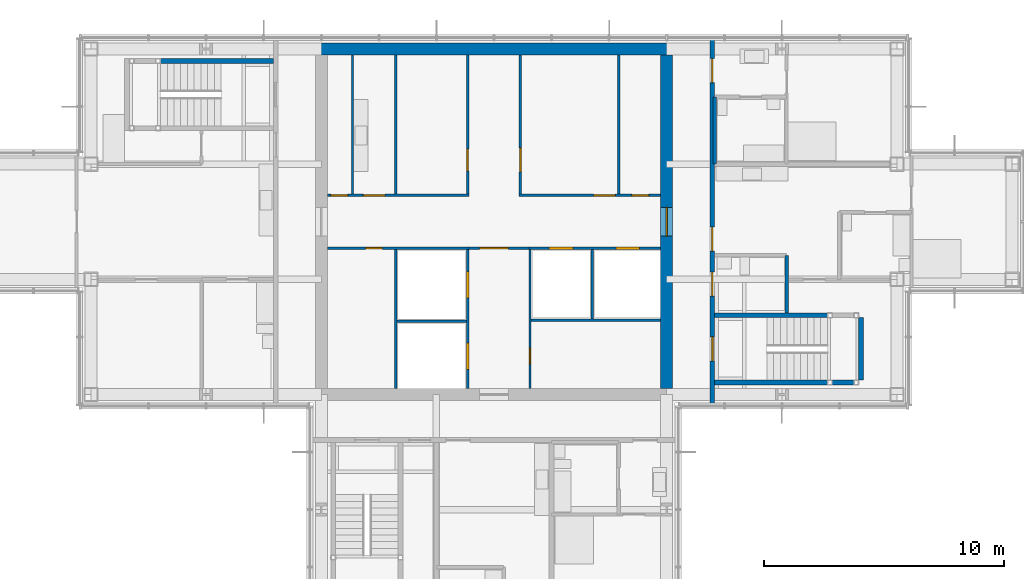
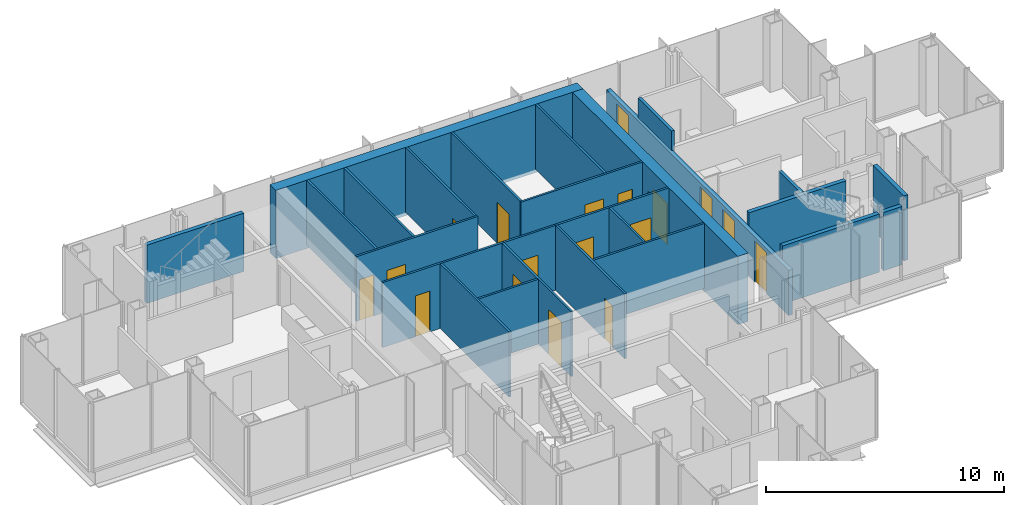
# One storey, part 11 of 15: 26 walls, 18 doors, 18 openings.
"""IFC4 building model written with IfcOpenShell, lengths in metres."""

import ifcopenshell
import ifcopenshell.guid

model = None  # the IFC model being written
_history = None  # IfcOwnerHistory: only IFC2X3 demands one
_inside = {}  # id of a spatial element -> (the spatial element, [elements in it])
_under = {}  # id of a project, library or spatial element -> (it, [spatial elements below it])
_declared = {}  # id of a project -> (the project, [libraries it declares])
_typed = {}  # id of a type object -> (the type object, [elements of that type])
_made_of = {}  # id of a material, layer set ... -> (it, [elements and type objects made of it])


def new_model(schema):
    """Start an empty IFC model of exactly this schema.

    Asked for "IFC4X3", IfcOpenShell would pick the latest addendum, in which some entities
    have other attributes; the version numbers below select the first issue.
    IFC2X3 requires an IfcOwnerHistory on every rooted entity: one is made here for all.
    """
    global model, _history
    if schema == "IFC4X3":
        model = ifcopenshell.file(schema_version=(4, 3, 0, 0))
    else:
        model = ifcopenshell.file(schema=schema)
    _inside.clear()
    _under.clear()
    _declared.clear()
    _typed.clear()
    _made_of.clear()
    _history = None
    if model.schema == "IFC2X3":
        org = make("IfcOrganization", Name="unknown")
        user = make(
            "IfcPersonAndOrganization",
            ThePerson=make("IfcPerson", FamilyName="unknown"),
            TheOrganization=org,
        )
        app = make(
            "IfcApplication",
            ApplicationDeveloper=org,
            Version="unknown",
            ApplicationFullName="unknown",
            ApplicationIdentifier="unknown",
        )
        _history = make(
            "IfcOwnerHistory",
            OwningUser=user,
            OwningApplication=app,
            ChangeAction="ADDED",
            CreationDate=0,
        )
    return model


def make(cls, **values):
    """One entity of the class cls with the attributes given. An attribute that is None is left unset."""
    return model.create_entity(
        cls, **{name: value for name, value in values.items() if value is not None}
    )


def rooted(cls, **values):
    """An entity with a GlobalId (a new one), such as an element, a storey or a relation."""
    return make(cls, GlobalId=ifcopenshell.guid.new(), OwnerHistory=_history, **values)


def si_unit(unit_type, name, prefix=None):
    """IfcSIUnit, for example si_unit("LENGTHUNIT", "METRE", prefix="MILLI")."""
    return make("IfcSIUnit", UnitType=unit_type, Prefix=prefix, Name=name)


def assignment(units):
    """IfcUnitAssignment: the units of a project."""
    return None if units is None else make("IfcUnitAssignment", Units=units)


def point(xyz):
    """IfcCartesianPoint."""
    return None if xyz is None else make("IfcCartesianPoint", Coordinates=xyz)


def direction(xyz):
    """IfcDirection."""
    return None if xyz is None else make("IfcDirection", DirectionRatios=xyz)


def frame(location, z_axis=None, x_axis=None):
    """IfcAxis2Placement3D, a coordinate frame: its origin and axes. An axis left out is left unset."""
    return make(
        "IfcAxis2Placement3D",
        Location=point(location),
        Axis=direction(z_axis),
        RefDirection=direction(x_axis),
    )


def frame_2d(location, x_axis=None):
    """IfcAxis2Placement2D, a coordinate frame in the plane: its origin and x axis."""
    return make(
        "IfcAxis2Placement2D", Location=point(location), RefDirection=direction(x_axis)
    )


def origin():
    """The frame at (0, 0, 0) with its axes left unset."""
    return frame((0.0, 0.0, 0.0))


def place(relative_to, where):
    """IfcLocalPlacement: puts the frame where relative to a parent placement (None: the world)."""
    return make(
        "IfcLocalPlacement", PlacementRelTo=relative_to, RelativePlacement=where
    )


def context(
    kind, dimensions, precision=None, world=None, true_north=None, identifier=None
):
    """IfcGeometricRepresentationContext, for example the 3D "Model" context."""
    return make(
        "IfcGeometricRepresentationContext",
        ContextIdentifier=identifier,
        ContextType=kind,
        CoordinateSpaceDimension=dimensions,
        Precision=precision,
        WorldCoordinateSystem=world,
        TrueNorth=true_north,
    )


def subcontext(parent, identifier, kind, view, scale=None):
    """IfcGeometricRepresentationSubContext, for example "Body" below "Model"."""
    return make(
        "IfcGeometricRepresentationSubContext",
        ContextIdentifier=identifier,
        ContextType=kind,
        ParentContext=parent,
        TargetScale=scale,
        TargetView=view,
    )


def project(units=None, contexts=None):
    """IfcProject with its units and contexts."""
    return rooted(
        "IfcProject",
        Name="project",
        RepresentationContexts=contexts,
        UnitsInContext=assignment(units),
    )


def spatial(cls, under=None, at=None, **own):
    """A site, building, storey or space (cls), placed at a placement, below another one or the project."""
    s = rooted(cls, ObjectPlacement=at, **own)
    if under is not None:
        _under.setdefault(under.id(), (under, []))[1].append(s)
    return s


def profile(cls, at=None, kind="AREA", **sizes):
    """A parametric profile (cls). Its sizes go by their IFC names, for example OverallWidth=200.0."""
    return make(cls, ProfileType=kind, Position=at, **sizes)


def rectangle(**sizes):
    """IfcRectangleProfileDef."""
    return profile("IfcRectangleProfileDef", **sizes)


def extrude(swept, where, along, depth):
    """IfcExtrudedAreaSolid: the profile swept, set in the frame where, extruded along a direction by depth."""
    return make(
        "IfcExtrudedAreaSolid",
        SweptArea=swept,
        Position=where,
        ExtrudedDirection=direction(along),
        Depth=depth,
    )


def shape(context_of_items, identifier, shape_type, items):
    """IfcShapeRepresentation: the items that make up one representation, for example the "Body"."""
    return make(
        "IfcShapeRepresentation",
        ContextOfItems=context_of_items,
        RepresentationIdentifier=identifier,
        RepresentationType=shape_type,
        Items=items,
    )


def material(Name=None, Category=None):
    """IfcMaterial."""
    return make("IfcMaterial", Name=Name, Category=Category)


def layer(
    of_material, thickness, ventilated=None, Name=None, Category=None, Priority=None
):
    """IfcMaterialLayer: one layer of a wall or slab, of a material (None: an air gap)."""
    return make(
        "IfcMaterialLayer",
        Material=of_material,
        LayerThickness=thickness,
        IsVentilated=ventilated,
        Name=Name,
        Category=Category,
        Priority=Priority,
    )


def layer_set(layers, Name=None):
    """IfcMaterialLayerSet."""
    return make("IfcMaterialLayerSet", MaterialLayers=layers, LayerSetName=Name)


def made_of(thing, what):
    """Note that an element or type object is made of a material, layer set ...; save() writes the relation."""
    if what is not None:
        _made_of.setdefault(what.id(), (what, []))[1].append(thing)
    return thing


def type_object(cls, material=None, **own):
    """A type object (cls), such as IfcWallType, which elements share."""
    return made_of(rooted(cls, **own), material)


def element(
    cls,
    number,
    at=None,
    inside=None,
    cuts=None,
    type_object=None,
    material=None,
    context=None,
    identifier="Body",
    shape_type=None,
    held_by="IfcProductDefinitionShape",
    body=None,
    shapes=None,
    **own,
):
    """One element of the class cls, such as IfcWall. Its Tag is "e" and its number.

    at: its placement. inside: the storey or other place that contains it. cuts: it is an
    opening in that element (IfcRelVoidsElement). A single representation is given by context,
    identifier, shape_type and body (its items); several are given by shapes. held_by: the class
    of the entity that holds the representations. save() writes the other relations.
    """
    e = rooted(cls, Tag="e%d" % number, ObjectPlacement=at, **own)
    if body is not None:
        shapes = [shape(context, identifier, shape_type, body)]
    if shapes is not None:
        e.Representation = make(held_by, Representations=shapes)
    if inside is not None:
        _inside.setdefault(inside.id(), (inside, []))[1].append(e)
    if cuts is not None:
        rooted(
            "IfcRelVoidsElement", RelatingBuildingElement=cuts, RelatedOpeningElement=e
        )
    if type_object is not None:
        _typed.setdefault(type_object.id(), (type_object, []))[1].append(e)
    return made_of(e, material)


def fill(opening, filler):
    """IfcRelFillsElement: the door or window that sits in an opening."""
    return rooted(
        "IfcRelFillsElement",
        RelatingOpeningElement=opening,
        RelatedBuildingElement=filler,
    )


def aggregate(whole, parts):
    """IfcRelAggregates: a whole, such as a stair, and the parts it consists of."""
    return rooted("IfcRelAggregates", RelatingObject=whole, RelatedObjects=parts)


def save(model, path):
    """Write the relations noted so far, then the file.

    IfcRelAggregates (storeys below a building ...), IfcRelContainedInSpatialStructure (elements
    in a storey), IfcRelDefinesByType, IfcRelAssociatesMaterial and IfcRelDeclares: one each for
    every whole, place, type object, material and project.
    """
    for whole, parts in _under.values():
        aggregate(whole, parts)
    for where, things in _inside.values():
        rooted(
            "IfcRelContainedInSpatialStructure",
            RelatedElements=things,
            RelatingStructure=where,
        )
    for kind, things in _typed.values():
        rooted("IfcRelDefinesByType", RelatedObjects=things, RelatingType=kind)
    for what, things in _made_of.values():
        rooted("IfcRelAssociatesMaterial", RelatedObjects=things, RelatingMaterial=what)
    for by, libraries in _declared.values():
        rooted("IfcRelDeclares", RelatingContext=by, RelatedDefinitions=libraries)
    model.write(path)


model = new_model("IFC4")

# Units and contexts
model_context = context("Model", 3, precision=1e-05, world=origin(), true_north=direction((0.0, 1.0)))
body_context = subcontext(model_context, "Body", "Model", "MODEL_VIEW")
ifc_project = project(units=[si_unit("LENGTHUNIT", "METRE"), si_unit("AREAUNIT", "SQUARE_METRE"), si_unit("VOLUMEUNIT", "CUBIC_METRE"), si_unit("PLANEANGLEUNIT", "RADIAN"), si_unit("MASSUNIT", "GRAM", prefix="KILO")], contexts=[model_context])

# Site, building, storey
site_placement = place(None, origin())
site = spatial("IfcSite", under=ifc_project, at=site_placement, CompositionType="ELEMENT")
building_placement = place(site_placement, origin())
building = spatial("IfcBuilding", under=site, at=building_placement, Name="Kvirike Care Tower", CompositionType="ELEMENT")
storey_placement = place(building_placement, frame((0.0, 0.0, 222.5)))
storey = spatial("IfcBuildingStorey", under=building, at=storey_placement, Name="L61", CompositionType="ELEMENT", Elevation=222.5)

# Walls
ifc_material_1 = material(Name="Moisture-resistant board partition", Category="gypsum")
ifc_layer_1 = layer(ifc_material_1, 0.14990234375)
ifc_layer_set_1 = layer_set([ifc_layer_1], Name="BATHROOM WALL 150")
wall_type_1 = type_object("IfcWallType", Name="BATHROOM WALL 150", PredefinedType="PARTITIONING", material=ifc_layer_set_1)
wall_1_placement = place(storey_placement, frame((33.800048828125, 32.199951171875, 0.0), z_axis=(0.0, 0.0, 1.0), x_axis=(0.0, 1.0, 0.0)))
element("IfcWall", 1, at=wall_1_placement, inside=storey, type_object=wall_type_1, Name="Bathroom Wall 150 L61", PredefinedType="PARTITIONING", context=body_context, shape_type="SweptSolid", body=[
    extrude(rectangle(XDim=2.400146484375, YDim=0.14990234375, at=frame_2d((1.2001953125, 0.0))), origin(), (0.0, 0.0, 1.0), 2.550048828125),
])
wall_2_placement = place(storey_placement, frame((30.800048828125, 38.39990234375, 0.0), z_axis=(0.0, 0.0, 1.0), x_axis=(0.0, 1.0, 0.0)))
element("IfcWall", 2, at=wall_2_placement, inside=storey, type_object=wall_type_1, Name="Bathroom Wall 150 L61", PredefinedType="PARTITIONING", context=body_context, shape_type="SweptSolid", body=[
    extrude(rectangle(XDim=2.800048828125, YDim=0.14990234375, at=frame_2d((1.39990234375, 0.0))), origin(), (0.0, 0.0, 1.0), 3.330078125),
])
ifc_material_2 = material(Name="Concrete C40/50", Category="concrete")
ifc_layer_2 = layer(ifc_material_2, 0.5)
ifc_layer_set_2 = layer_set([ifc_layer_2], Name="CORE WALL 500 C40-50")
wall_type_2 = type_object("IfcWallType", Name="CORE WALL 500 C40-50", PredefinedType="SHEAR", material=ifc_layer_set_2)
wall_3_placement = place(storey_placement, frame((29.050048828125, 43.199951171875, -0.169921875), z_axis=(0.0, 0.0, 1.0), x_axis=(-1.0, 0.0, 0.0)))
element("IfcWall", 3, at=wall_3_placement, inside=storey, type_object=wall_type_2, Name="Core wall N L61", PredefinedType="SHEAR", context=body_context, shape_type="SweptSolid", body=[
    extrude(rectangle(XDim=14.900146484375, YDim=0.5, at=frame_2d((7.4501953125, 0.0))), origin(), (0.0, 0.0, 1.0), 3.5),
])

# Wall, opening, door
wall_4_placement = place(storey_placement, frame((28.800048828125, 29.050048828125, -0.169921875), z_axis=(0.0, 0.0, 1.0), x_axis=(0.0, 1.0, 0.0)))
wall_4 = element("IfcWall", 4, at=wall_4_placement, inside=storey, type_object=wall_type_2, Name="Core wall E L61", PredefinedType="SHEAR", context=body_context, shape_type="SweptSolid", body=[
    extrude(rectangle(XDim=13.89990234375, YDim=0.5, at=frame_2d((6.949951171875, 0.0))), origin(), (0.0, 0.0, 1.0), 3.5),
])
opening_1_placement = place(wall_4_placement, frame((6.35009765625, 0.0, 0.169921875)))
opening_1 = element("IfcOpeningElement", 5, at=opening_1_placement, cuts=wall_4, Name="Opening 61-039", PredefinedType="OPENING", context=body_context, shape_type="SweptSolid", body=[
    extrude(rectangle(XDim=1.199951171875, YDim=2.10009765625, at=frame_2d((0.60009765625, 1.050048828125))), frame((0.0, 0.260498046875, 0.0), z_axis=(0.0, -1.0, 0.0), x_axis=(1.0, 0.0, 0.0)), (0.0, 0.0, 1.0), 0.52099609375),
])
ifc_material_3 = material(Name="Timber door set", Category="wood")
door_type_1 = type_object("IfcDoorType", Name="CORE DOOR 1200", OperationType="SINGLE_SWING_LEFT", PredefinedType="DOOR", material=ifc_material_3)
door_1_placement = place(opening_1_placement, origin())
door_1 = element("IfcDoor", 6, at=door_1_placement, inside=storey, type_object=door_type_1, Name="Core door E L61", OperationType="SINGLE_SWING_LEFT", OverallHeight=2.10009765625, OverallWidth=1.199951171875, PredefinedType="DOOR", context=body_context, shape_type="SweptSolid", body=[
    extrude(rectangle(XDim=1.199951171875, YDim=2.10009765625, at=frame_2d((0.60009765625, 1.050048828125))), frame((0.0, 0.02685546875, 0.0), z_axis=(0.0, -1.0, 0.0), x_axis=(1.0, 0.0, 0.0)), (0.0, 0.0, 1.0), 0.053955078125),
])
fill(opening_1, door_1)

# Wall, openings, doors
ifc_material_4 = material(Name="Plasterboard corridor wall", Category="gypsum")
ifc_layer_3 = layer(ifc_material_4, 0.199951171875)
ifc_layer_set_3 = layer_set([ifc_layer_3], Name="CORRIDOR WALL 200")
wall_type_3 = type_object("IfcWallType", Name="CORRIDOR WALL 200", PredefinedType="PARTITIONING", material=ifc_layer_set_3)
wall_5_placement = place(storey_placement, frame((30.699951171875, 28.344970703125, 0.0), z_axis=(0.0, 0.0, 1.0), x_axis=(0.0, 1.0, 0.0)))
wall_5 = element("IfcWall", 7, at=wall_5_placement, inside=storey, type_object=wall_type_3, Name="Corridor Wall 200 L61", PredefinedType="PARTITIONING", context=body_context, shape_type="SweptSolid", body=[
    extrude(rectangle(XDim=15.31005859375, YDim=0.199951171875, at=frame_2d((7.655029296875, 0.0))), origin(), (0.0, 0.0, 1.0), 2.320068359375),
])
opening_2_placement = place(wall_5_placement, frame((1.85498046875, 0.0, 0.0)))
opening_2 = element("IfcOpeningElement", 8, at=opening_2_placement, cuts=wall_5, Name="Opening 61-020", PredefinedType="OPENING", context=body_context, shape_type="SweptSolid", body=[
    extrude(rectangle(XDim=1.0, YDim=2.10009765625, at=frame_2d((0.5, 1.050048828125))), frame((0.0, 0.110595703125, 0.0), z_axis=(0.0, -1.0, 0.0), x_axis=(1.0, 0.0, 0.0)), (0.0, 0.0, 1.0), 0.220947265625),
])
opening_3_placement = place(wall_5_placement, frame((4.554931640625, 0.0, 0.0)))
opening_3 = element("IfcOpeningElement", 9, at=opening_3_placement, cuts=wall_5, Name="Opening 61-021", PredefinedType="OPENING", context=body_context, shape_type="SweptSolid", body=[
    extrude(rectangle(XDim=1.0, YDim=2.10009765625, at=frame_2d((0.5, 1.050048828125))), frame((0.0, 0.110595703125, 0.0), z_axis=(0.0, -1.0, 0.0), x_axis=(1.0, 0.0, 0.0)), (0.0, 0.0, 1.0), 0.220947265625),
])
opening_4_placement = place(wall_5_placement, frame((6.429931640625, 0.0, 0.0)))
opening_4 = element("IfcOpeningElement", 10, at=opening_4_placement, cuts=wall_5, Name="Opening 61-022", PredefinedType="OPENING", context=body_context, shape_type="SweptSolid", body=[
    extrude(rectangle(XDim=1.0, YDim=2.10009765625, at=frame_2d((0.5, 1.050048828125))), frame((0.0, 0.110595703125, 0.0), z_axis=(0.0, -1.0, 0.0), x_axis=(1.0, 0.0, 0.0)), (0.0, 0.0, 1.0), 0.220947265625),
])
opening_5_placement = place(wall_5_placement, frame((13.455078125, 0.0, 0.0)))
opening_5 = element("IfcOpeningElement", 11, at=opening_5_placement, cuts=wall_5, Name="Opening 61-023", PredefinedType="OPENING", context=body_context, shape_type="SweptSolid", body=[
    extrude(rectangle(XDim=1.0, YDim=2.10009765625, at=frame_2d((0.5, 1.050048828125))), frame((0.0, 0.110595703125, 0.0), z_axis=(0.0, -1.0, 0.0), x_axis=(1.0, 0.0, 0.0)), (0.0, 0.0, 1.0), 0.220947265625),
])
ifc_material_5 = material(Name="Timber door set", Category="wood")
door_type_2 = type_object("IfcDoorType", Name="FLAT ENTRANCE DOOR 1000", OperationType="SINGLE_SWING_LEFT", PredefinedType="DOOR", material=ifc_material_5)
door_2_placement = place(opening_4_placement, frame((1.0, 0.0, 0.0), z_axis=(0.0, 0.0, 1.0), x_axis=(-1.0, 0.0, 0.0)))
door_2 = element("IfcDoor", 12, at=door_2_placement, inside=storey, type_object=door_type_2, Name="One-bedroom apartment entrance", OperationType="SINGLE_SWING_LEFT", OverallHeight=2.10009765625, OverallWidth=1.0, PredefinedType="DOOR", context=body_context, shape_type="SweptSolid", body=[
    extrude(rectangle(XDim=1.0, YDim=2.10009765625, at=frame_2d((0.5, 1.050048828125))), frame((0.0, 0.02685546875, 0.0), z_axis=(0.0, -1.0, 0.0), x_axis=(1.0, 0.0, 0.0)), (0.0, 0.0, 1.0), 0.053955078125),
])
fill(opening_4, door_2)
door_3_placement = place(opening_5_placement, frame((1.0, 0.0, 0.0), z_axis=(0.0, 0.0, 1.0), x_axis=(-1.0, 0.0, 0.0)))
door_3 = element("IfcDoor", 13, at=door_3_placement, inside=storey, type_object=door_type_2, Name="Studio apartment entrance", OperationType="SINGLE_SWING_RIGHT", OverallHeight=2.10009765625, OverallWidth=1.0, PredefinedType="DOOR", context=body_context, shape_type="SweptSolid", body=[
    extrude(rectangle(XDim=1.0, YDim=2.10009765625, at=frame_2d((0.5, 1.050048828125))), frame((0.0, 0.02685546875, 0.0), z_axis=(0.0, -1.0, 0.0), x_axis=(1.0, 0.0, 0.0)), (0.0, 0.0, 1.0), 0.053955078125),
])
fill(opening_5, door_3)
ifc_material_6 = material(Name="Timber door set", Category="wood")
door_type_3 = type_object("IfcDoorType", Name="STAIR DOOR 1000", OperationType="SINGLE_SWING_LEFT", PredefinedType="DOOR", material=ifc_material_6)
door_4_placement = place(opening_2_placement, frame((1.0, 0.0, 0.0), z_axis=(0.0, 0.0, 1.0), x_axis=(-1.0, 0.0, 0.0)))
door_4 = element("IfcDoor", 14, at=door_4_placement, inside=storey, type_object=door_type_3, Name="Stair 2 door", OperationType="SINGLE_SWING_LEFT", OverallHeight=2.10009765625, OverallWidth=1.0, PredefinedType="DOOR", context=body_context, shape_type="SweptSolid", body=[
    extrude(rectangle(XDim=1.0, YDim=2.10009765625, at=frame_2d((0.5, 1.050048828125))), frame((0.0, 0.031982421875, 0.0), z_axis=(0.0, -1.0, 0.0), x_axis=(1.0, 0.0, 0.0)), (0.0, 0.0, 1.0), 0.06396484375),
])
fill(opening_2, door_4)
ifc_material_7 = material(Name="Timber door set", Category="wood")
door_type_4 = type_object("IfcDoorType", Name="WC DOOR 1000", OperationType="SINGLE_SWING_LEFT", PredefinedType="DOOR", material=ifc_material_7)
door_5_placement = place(opening_3_placement, frame((1.0, 0.0, 0.0), z_axis=(0.0, 0.0, 1.0), x_axis=(-1.0, 0.0, 0.0)))
door_5 = element("IfcDoor", 15, at=door_5_placement, inside=storey, type_object=door_type_4, Name="Accessible WC door", OperationType="SINGLE_SWING_LEFT", OverallHeight=2.10009765625, OverallWidth=1.0, PredefinedType="DOOR", context=body_context, shape_type="SweptSolid", body=[
    extrude(rectangle(XDim=1.0, YDim=2.10009765625, at=frame_2d((0.5, 1.050048828125))), frame((0.0, 0.02685546875, 0.0), z_axis=(0.0, -1.0, 0.0), x_axis=(1.0, 0.0, 0.0)), (0.0, 0.0, 1.0), 0.053955078125),
])
fill(opening_3, door_5)

# Walls
ifc_material_8 = material(Name="Gypsum shaft wall system", Category="gypsum")
ifc_layer_4 = layer(ifc_material_8, 0.10009765625)
ifc_layer_set_4 = layer_set([ifc_layer_4], Name="SHAFT WALL 100")
wall_type_4 = type_object("IfcWallType", Name="SHAFT WALL 100", PredefinedType="SOLIDWALL", material=ifc_layer_set_4)
for number, where, z_axis, x_axis, name in (
    (16, (15.699951171875, 37.14990234375, 0.0), (0.0, 0.0, 1.0), (0.0, 1.0, 0.0), "Shaft Wall 100 L61"),
    (17, (26.800048828125, 37.14990234375, 0.0), (0.0, 0.0, 1.0), (0.0, 1.0, 0.0), "Shaft Wall 100 L61"),
):
    element("IfcWall", number, at=place(storey_placement, frame(where, z_axis=z_axis, x_axis=x_axis)), inside=storey, type_object=wall_type_4, Name=name, PredefinedType="SOLIDWALL", context=body_context, shape_type="SweptSolid", body=[
        extrude(rectangle(XDim=5.800048828125, YDim=0.10009765625, at=frame_2d((2.89990234375, 0.0))), origin(), (0.0, 0.0, 1.0), 3.330078125),
    ])

# Wall, openings, doors
wall_6_placement = place(storey_placement, frame((20.5, 29.050048828125, 0.0), z_axis=(0.0, 0.0, 1.0), x_axis=(0.0, 1.0, 0.0)))
wall_6 = element("IfcWall", 18, at=wall_6_placement, inside=storey, type_object=wall_type_4, Name="Shaft Wall 100 L61", PredefinedType="SOLIDWALL", context=body_context, shape_type="SweptSolid", body=[
    extrude(rectangle(XDim=5.800048828125, YDim=0.10009765625, at=frame_2d((2.89990234375, 0.0))), origin(), (0.0, 0.0, 1.0), 3.330078125),
])
opening_6_placement = place(wall_6_placement, frame((0.800048828125, 0.0, 0.0)))
opening_6 = element("IfcOpeningElement", 19, at=opening_6_placement, cuts=wall_6, Name="Opening 61-024", PredefinedType="OPENING", context=body_context, shape_type="SweptSolid", body=[
    extrude(rectangle(XDim=1.10009765625, YDim=2.300048828125, at=frame_2d((0.550048828125, 1.14990234375))), frame((0.0, 0.060546875, 0.0), z_axis=(0.0, -1.0, 0.0), x_axis=(1.0, 0.0, 0.0)), (0.0, 0.0, 1.0), 0.12109375),
])
opening_7_placement = place(wall_6_placement, frame((3.77490234375, 0.0, 0.0)))
opening_7 = element("IfcOpeningElement", 20, at=opening_7_placement, cuts=wall_6, Name="Opening 61-025", PredefinedType="OPENING", context=body_context, shape_type="SweptSolid", body=[
    extrude(rectangle(XDim=1.10009765625, YDim=2.300048828125, at=frame_2d((0.550048828125, 1.14990234375))), frame((0.0, 0.060546875, 0.0), z_axis=(0.0, -1.0, 0.0), x_axis=(1.0, 0.0, 0.0)), (0.0, 0.0, 1.0), 0.12109375),
])
ifc_material_9 = material(Name="Aluminium door frame", Category="aluminium")
door_type_5 = type_object("IfcDoorType", Name="FIRE-FIGHTING LIFT LANDING DOOR 1100", OperationType="SLIDING_TO_LEFT", PredefinedType="DOOR", material=ifc_material_9)
door_6_placement = place(opening_6_placement, origin())
door_6 = element("IfcDoor", 21, at=door_6_placement, inside=storey, type_object=door_type_5, Name="Lift FF1 landing door", OperationType="SLIDING_TO_LEFT", OverallHeight=2.300048828125, OverallWidth=1.10009765625, PredefinedType="DOOR", context=body_context, shape_type="SweptSolid", body=[
    extrude(rectangle(XDim=1.10009765625, YDim=2.300048828125, at=frame_2d((0.550048828125, 1.14990234375))), frame((0.0, 0.0498046875, 0.0), z_axis=(0.0, -1.0, 0.0), x_axis=(1.0, 0.0, 0.0)), (0.0, 0.0, 1.0), 0.099609375),
])
fill(opening_6, door_6)
door_7_placement = place(opening_7_placement, origin())
door_7 = element("IfcDoor", 22, at=door_7_placement, inside=storey, type_object=door_type_5, Name="Lift FF2 landing door", OperationType="SLIDING_TO_LEFT", OverallHeight=2.300048828125, OverallWidth=1.10009765625, PredefinedType="DOOR", context=body_context, shape_type="SweptSolid", body=[
    extrude(rectangle(XDim=1.10009765625, YDim=2.300048828125, at=frame_2d((0.550048828125, 1.14990234375))), frame((0.0, 0.0498046875, 0.0), z_axis=(0.0, -1.0, 0.0), x_axis=(1.0, 0.0, 0.0)), (0.0, 0.0, 1.0), 0.099609375),
])
fill(opening_7, door_7)

# Wall, opening, door
wall_7_placement = place(storey_placement, frame((20.5, 37.14990234375, 0.0), z_axis=(0.0, 0.0, 1.0), x_axis=(0.0, 1.0, 0.0)))
wall_7 = element("IfcWall", 23, at=wall_7_placement, inside=storey, type_object=wall_type_4, Name="Shaft Wall 100 L61", PredefinedType="SOLIDWALL", context=body_context, shape_type="SweptSolid", body=[
    extrude(rectangle(XDim=5.800048828125, YDim=0.10009765625, at=frame_2d((2.89990234375, 0.0))), origin(), (0.0, 0.0, 1.0), 3.330078125),
])
opening_8_placement = place(wall_7_placement, frame((0.97509765625, 0.0, 0.0)))
opening_8 = element("IfcOpeningElement", 24, at=opening_8_placement, cuts=wall_7, Name="Opening 61-026", PredefinedType="OPENING", context=body_context, shape_type="SweptSolid", body=[
    extrude(rectangle(XDim=0.89990234375, YDim=2.10009765625, at=frame_2d((0.449951171875, 1.050048828125))), frame((0.0, 0.060546875, 0.0), z_axis=(0.0, -1.0, 0.0), x_axis=(1.0, 0.0, 0.0)), (0.0, 0.0, 1.0), 0.12109375),
])
ifc_material_10 = material(Name="Timber door set", Category="wood")
door_type_6 = type_object("IfcDoorType", Name="STORE DOOR 900", OperationType="SINGLE_SWING_LEFT", PredefinedType="DOOR", material=ifc_material_10)
door_8_placement = place(opening_8_placement, origin())
door_8 = element("IfcDoor", 25, at=door_8_placement, inside=storey, type_object=door_type_6, Name="Records store door", OperationType="SINGLE_SWING_RIGHT", OverallHeight=2.10009765625, OverallWidth=0.89990234375, PredefinedType="DOOR", context=body_context, shape_type="SweptSolid", body=[
    extrude(rectangle(XDim=0.89990234375, YDim=2.10009765625, at=frame_2d((0.449951171875, 1.050048828125))), frame((0.0, 0.02685546875, 0.0), z_axis=(0.0, -1.0, 0.0), x_axis=(1.0, 0.0, 0.0)), (0.0, 0.0, 1.0), 0.053955078125),
])
fill(opening_8, door_8)

wall_8_placement = place(storey_placement, frame((22.699951171875, 37.14990234375, 0.0), z_axis=(0.0, 0.0, 1.0), x_axis=(0.0, 1.0, 0.0)))
wall_8 = element("IfcWall", 26, at=wall_8_placement, inside=storey, type_object=wall_type_4, Name="Shaft Wall 100 L61", PredefinedType="SOLIDWALL", context=body_context, shape_type="SweptSolid", body=[
    extrude(rectangle(XDim=5.800048828125, YDim=0.10009765625, at=frame_2d((2.89990234375, 0.0))), origin(), (0.0, 0.0, 1.0), 3.330078125),
])
opening_9_placement = place(wall_8_placement, frame((0.925048828125, 0.0, 0.0)))
opening_9 = element("IfcOpeningElement", 27, at=opening_9_placement, cuts=wall_8, Name="Opening 61-027", PredefinedType="OPENING", context=body_context, shape_type="SweptSolid", body=[
    extrude(rectangle(XDim=1.0, YDim=2.10009765625, at=frame_2d((0.5, 1.050048828125))), frame((0.0, 0.060546875, 0.0), z_axis=(0.0, -1.0, 0.0), x_axis=(1.0, 0.0, 0.0)), (0.0, 0.0, 1.0), 0.12109375),
])
door_9_placement = place(opening_9_placement, frame((1.0, 0.0, 0.0), z_axis=(0.0, 0.0, 1.0), x_axis=(-1.0, 0.0, 0.0)))
door_9 = element("IfcDoor", 28, at=door_9_placement, inside=storey, type_object=door_type_4, Name="Staff WC door", OperationType="SINGLE_SWING_LEFT", OverallHeight=2.10009765625, OverallWidth=1.0, PredefinedType="DOOR", context=body_context, shape_type="SweptSolid", body=[
    extrude(rectangle(XDim=1.0, YDim=2.10009765625, at=frame_2d((0.5, 1.050048828125))), frame((0.0, 0.02685546875, 0.0), z_axis=(0.0, -1.0, 0.0), x_axis=(1.0, 0.0, 0.0)), (0.0, 0.0, 1.0), 0.053955078125),
])
fill(opening_9, door_9)

wall_9_placement = place(storey_placement, frame((23.10009765625, 29.050048828125, 0.0), z_axis=(0.0, 0.0, 1.0), x_axis=(0.0, 1.0, 0.0)))
wall_9 = element("IfcWall", 29, at=wall_9_placement, inside=storey, type_object=wall_type_4, Name="Shaft Wall 100 L61", PredefinedType="SOLIDWALL", context=body_context, shape_type="SweptSolid", body=[
    extrude(rectangle(XDim=5.800048828125, YDim=0.10009765625, at=frame_2d((2.89990234375, 0.0))), origin(), (0.0, 0.0, 1.0), 3.330078125),
])
opening_10_placement = place(wall_9_placement, frame((1.0, 0.0, 0.0)))
opening_10 = element("IfcOpeningElement", 30, at=opening_10_placement, cuts=wall_9, Name="Opening 61-028", PredefinedType="OPENING", context=body_context, shape_type="SweptSolid", body=[
    extrude(rectangle(XDim=0.699951171875, YDim=2.10009765625, at=frame_2d((0.35009765625, 1.050048828125))), frame((0.0, 0.060546875, 0.0), z_axis=(0.0, -1.0, 0.0), x_axis=(1.0, 0.0, 0.0)), (0.0, 0.0, 1.0), 0.12109375),
])
ifc_material_11 = material(Name="Timber door set", Category="wood")
door_type_7 = type_object("IfcDoorType", Name="RISER DOOR 700", OperationType="SINGLE_SWING_LEFT", PredefinedType="DOOR", material=ifc_material_11)
door_10_placement = place(opening_10_placement, origin())
door_10 = element("IfcDoor", 31, at=door_10_placement, inside=storey, type_object=door_type_7, Name="Riser door", OperationType="SINGLE_SWING_RIGHT", OverallHeight=2.10009765625, OverallWidth=0.699951171875, PredefinedType="DOOR", context=body_context, shape_type="SweptSolid", body=[
    extrude(rectangle(XDim=0.699951171875, YDim=2.10009765625, at=frame_2d((0.35009765625, 1.050048828125))), frame((0.0, 0.02685546875, 0.0), z_axis=(0.0, -1.0, 0.0), x_axis=(1.0, 0.0, 0.0)), (0.0, 0.0, 1.0), 0.053955078125),
])
fill(opening_10, door_10)

wall_10_placement = place(storey_placement, frame((14.64990234375, 34.89990234375, 0.0), z_axis=(0.0, 0.0, 1.0), x_axis=(1.0, 0.0, 0.0)))
wall_10 = element("IfcWall", 32, at=wall_10_placement, inside=storey, type_object=wall_type_4, Name="Shaft Wall 100 L61", PredefinedType="SOLIDWALL", context=body_context, shape_type="SweptSolid", body=[
    extrude(rectangle(XDim=5.900146484375, YDim=0.10009765625, at=frame_2d((2.9501953125, 0.0))), origin(), (0.0, 0.0, 1.0), 3.330078125),
])
opening_11_placement = place(wall_10_placement, frame((1.60009765625, 0.0, 0.0)))
opening_11 = element("IfcOpeningElement", 33, at=opening_11_placement, cuts=wall_10, Name="Opening 61-029", PredefinedType="OPENING", context=body_context, shape_type="SweptSolid", body=[
    extrude(rectangle(XDim=0.699951171875, YDim=2.10009765625, at=frame_2d((0.35009765625, 1.050048828125))), frame((0.0, 0.060546875, 0.0), z_axis=(0.0, -1.0, 0.0), x_axis=(1.0, 0.0, 0.0)), (0.0, 0.0, 1.0), 0.12109375),
])
door_11_placement = place(opening_11_placement, frame((0.699951171875, 0.0, 0.0), z_axis=(0.0, 0.0, 1.0), x_axis=(-1.0, 0.0, 0.0)))
door_11 = element("IfcDoor", 34, at=door_11_placement, inside=storey, type_object=door_type_7, Name="Riser door", OperationType="SINGLE_SWING_RIGHT", OverallHeight=2.10009765625, OverallWidth=0.699951171875, PredefinedType="DOOR", context=body_context, shape_type="SweptSolid", body=[
    extrude(rectangle(XDim=0.699951171875, YDim=2.10009765625, at=frame_2d((0.35009765625, 1.050048828125))), frame((0.0, 0.02685546875, 0.0), z_axis=(0.0, -1.0, 0.0), x_axis=(1.0, 0.0, 0.0)), (0.0, 0.0, 1.0), 0.053955078125),
])
fill(opening_11, door_11)

# Wall, openings, doors
wall_11_placement = place(storey_placement, frame((23.050048828125, 34.89990234375, 0.0), z_axis=(0.0, 0.0, 1.0), x_axis=(1.0, 0.0, 0.0)))
wall_11 = element("IfcWall", 35, at=wall_11_placement, inside=storey, type_object=wall_type_4, Name="Shaft Wall 100 L61", PredefinedType="SOLIDWALL", context=body_context, shape_type="SweptSolid", body=[
    extrude(rectangle(XDim=5.5, YDim=0.10009765625, at=frame_2d((2.75, 0.0))), origin(), (0.0, 0.0, 1.0), 3.330078125),
])
opening_12_placement = place(wall_11_placement, frame((0.85009765625, 0.0, 0.0)))
opening_12 = element("IfcOpeningElement", 36, at=opening_12_placement, cuts=wall_11, Name="Opening 61-030", PredefinedType="OPENING", context=body_context, shape_type="SweptSolid", body=[
    extrude(rectangle(XDim=1.0, YDim=2.10009765625, at=frame_2d((0.5, 1.050048828125))), frame((0.0, 0.060546875, 0.0), z_axis=(0.0, -1.0, 0.0), x_axis=(1.0, 0.0, 0.0)), (0.0, 0.0, 1.0), 0.12109375),
])
opening_13_placement = place(wall_11_placement, frame((3.625, 0.0, 0.0)))
opening_13 = element("IfcOpeningElement", 37, at=opening_13_placement, cuts=wall_11, Name="Opening 61-031", PredefinedType="OPENING", context=body_context, shape_type="SweptSolid", body=[
    extrude(rectangle(XDim=1.0, YDim=2.10009765625, at=frame_2d((0.5, 1.050048828125))), frame((0.0, 0.060546875, 0.0), z_axis=(0.0, -1.0, 0.0), x_axis=(1.0, 0.0, 0.0)), (0.0, 0.0, 1.0), 0.12109375),
])
ifc_material_12 = material(Name="Aluminium door frame", Category="aluminium")
door_type_8 = type_object("IfcDoorType", Name="LIFT LANDING DOOR 1000", OperationType="SLIDING_TO_LEFT", PredefinedType="DOOR", material=ifc_material_12)
door_12_placement = place(opening_12_placement, origin())
door_12 = element("IfcDoor", 38, at=door_12_placement, inside=storey, type_object=door_type_8, Name="Lift P5 landing door", OperationType="SLIDING_TO_LEFT", OverallHeight=2.10009765625, OverallWidth=1.0, PredefinedType="DOOR", context=body_context, shape_type="SweptSolid", body=[
    extrude(rectangle(XDim=1.0, YDim=2.10009765625, at=frame_2d((0.5, 1.050048828125))), frame((0.0, 0.0498046875, 0.0), z_axis=(0.0, -1.0, 0.0), x_axis=(1.0, 0.0, 0.0)), (0.0, 0.0, 1.0), 0.099609375),
])
fill(opening_12, door_12)
door_13_placement = place(opening_13_placement, origin())
door_13 = element("IfcDoor", 39, at=door_13_placement, inside=storey, type_object=door_type_8, Name="Lift P6 landing door", OperationType="SLIDING_TO_LEFT", OverallHeight=2.10009765625, OverallWidth=1.0, PredefinedType="DOOR", context=body_context, shape_type="SweptSolid", body=[
    extrude(rectangle(XDim=1.0, YDim=2.10009765625, at=frame_2d((0.5, 1.050048828125))), frame((0.0, 0.0498046875, 0.0), z_axis=(0.0, -1.0, 0.0), x_axis=(1.0, 0.0, 0.0)), (0.0, 0.0, 1.0), 0.099609375),
])
fill(opening_13, door_13)

wall_12_placement = place(storey_placement, frame((14.64990234375, 37.10009765625, 0.0), z_axis=(0.0, 0.0, 1.0), x_axis=(1.0, 0.0, 0.0)))
wall_12 = element("IfcWall", 40, at=wall_12_placement, inside=storey, type_object=wall_type_4, Name="Shaft Wall 100 L61", PredefinedType="SOLIDWALL", context=body_context, shape_type="SweptSolid", body=[
    extrude(rectangle(XDim=5.900146484375, YDim=0.10009765625, at=frame_2d((2.9501953125, 0.0))), origin(), (0.0, 0.0, 1.0), 3.330078125),
])
opening_14_placement = place(wall_12_placement, frame((0.14990234375, 0.0, 0.0)))
opening_14 = element("IfcOpeningElement", 41, at=opening_14_placement, cuts=wall_12, Name="Opening 61-032", PredefinedType="OPENING", context=body_context, shape_type="SweptSolid", body=[
    extrude(rectangle(XDim=0.699951171875, YDim=2.10009765625, at=frame_2d((0.35009765625, 1.050048828125))), frame((0.0, 0.060546875, 0.0), z_axis=(0.0, -1.0, 0.0), x_axis=(1.0, 0.0, 0.0)), (0.0, 0.0, 1.0), 0.12109375),
])
opening_15_placement = place(wall_12_placement, frame((1.5, 0.0, 0.0)))
opening_15 = element("IfcOpeningElement", 42, at=opening_15_placement, cuts=wall_12, Name="Opening 61-033", PredefinedType="OPENING", context=body_context, shape_type="SweptSolid", body=[
    extrude(rectangle(XDim=0.89990234375, YDim=2.10009765625, at=frame_2d((0.449951171875, 1.050048828125))), frame((0.0, 0.060546875, 0.0), z_axis=(0.0, -1.0, 0.0), x_axis=(1.0, 0.0, 0.0)), (0.0, 0.0, 1.0), 0.12109375),
])
door_14_placement = place(opening_14_placement, origin())
door_14 = element("IfcDoor", 43, at=door_14_placement, inside=storey, type_object=door_type_7, Name="Riser door", OperationType="SINGLE_SWING_RIGHT", OverallHeight=2.10009765625, OverallWidth=0.699951171875, PredefinedType="DOOR", context=body_context, shape_type="SweptSolid", body=[
    extrude(rectangle(XDim=0.699951171875, YDim=2.10009765625, at=frame_2d((0.35009765625, 1.050048828125))), frame((0.0, 0.02685546875, 0.0), z_axis=(0.0, -1.0, 0.0), x_axis=(1.0, 0.0, 0.0)), (0.0, 0.0, 1.0), 0.053955078125),
])
fill(opening_14, door_14)
door_15_placement = place(opening_15_placement, origin())
door_15 = element("IfcDoor", 44, at=door_15_placement, inside=storey, type_object=door_type_6, Name="Resident pantry door", OperationType="SINGLE_SWING_LEFT", OverallHeight=2.10009765625, OverallWidth=0.89990234375, PredefinedType="DOOR", context=body_context, shape_type="SweptSolid", body=[
    extrude(rectangle(XDim=0.89990234375, YDim=2.10009765625, at=frame_2d((0.449951171875, 1.050048828125))), frame((0.0, 0.02685546875, 0.0), z_axis=(0.0, -1.0, 0.0), x_axis=(1.0, 0.0, 0.0)), (0.0, 0.0, 1.0), 0.053955078125),
])
fill(opening_15, door_15)

wall_13_placement = place(storey_placement, frame((22.64990234375, 37.10009765625, 0.0), z_axis=(0.0, 0.0, 1.0), x_axis=(1.0, 0.0, 0.0)))
wall_13 = element("IfcWall", 45, at=wall_13_placement, inside=storey, type_object=wall_type_4, Name="Shaft Wall 100 L61", PredefinedType="SOLIDWALL", context=body_context, shape_type="SweptSolid", body=[
    extrude(rectangle(XDim=5.900146484375, YDim=0.10009765625, at=frame_2d((2.9501953125, 0.0))), origin(), (0.0, 0.0, 1.0), 3.330078125),
])
opening_16_placement = place(wall_13_placement, frame((3.10009765625, 0.0, 0.0)))
opening_16 = element("IfcOpeningElement", 46, at=opening_16_placement, cuts=wall_13, Name="Opening 61-034", PredefinedType="OPENING", context=body_context, shape_type="SweptSolid", body=[
    extrude(rectangle(XDim=0.89990234375, YDim=2.10009765625, at=frame_2d((0.449951171875, 1.050048828125))), frame((0.0, 0.060546875, 0.0), z_axis=(0.0, -1.0, 0.0), x_axis=(1.0, 0.0, 0.0)), (0.0, 0.0, 1.0), 0.12109375),
])
opening_17_placement = place(wall_13_placement, frame((4.699951171875, 0.0, 0.0)))
opening_17 = element("IfcOpeningElement", 47, at=opening_17_placement, cuts=wall_13, Name="Opening 61-035", PredefinedType="OPENING", context=body_context, shape_type="SweptSolid", body=[
    extrude(rectangle(XDim=0.699951171875, YDim=2.10009765625, at=frame_2d((0.35009765625, 1.050048828125))), frame((0.0, 0.060546875, 0.0), z_axis=(0.0, -1.0, 0.0), x_axis=(1.0, 0.0, 0.0)), (0.0, 0.0, 1.0), 0.12109375),
])
door_16_placement = place(opening_17_placement, origin())
door_16 = element("IfcDoor", 48, at=door_16_placement, inside=storey, type_object=door_type_7, Name="Riser door", OperationType="SINGLE_SWING_LEFT", OverallHeight=2.10009765625, OverallWidth=0.699951171875, PredefinedType="DOOR", context=body_context, shape_type="SweptSolid", body=[
    extrude(rectangle(XDim=0.699951171875, YDim=2.10009765625, at=frame_2d((0.35009765625, 1.050048828125))), frame((0.0, 0.02685546875, 0.0), z_axis=(0.0, -1.0, 0.0), x_axis=(1.0, 0.0, 0.0)), (0.0, 0.0, 1.0), 0.053955078125),
])
fill(opening_17, door_16)
door_17_placement = place(opening_16_placement, origin())
door_17 = element("IfcDoor", 49, at=door_17_placement, inside=storey, type_object=door_type_6, Name="Staff changing room door", OperationType="SINGLE_SWING_LEFT", OverallHeight=2.10009765625, OverallWidth=0.89990234375, PredefinedType="DOOR", context=body_context, shape_type="SweptSolid", body=[
    extrude(rectangle(XDim=0.89990234375, YDim=2.10009765625, at=frame_2d((0.449951171875, 1.050048828125))), frame((0.0, 0.02685546875, 0.0), z_axis=(0.0, -1.0, 0.0), x_axis=(1.0, 0.0, 0.0)), (0.0, 0.0, 1.0), 0.053955078125),
])
fill(opening_16, door_17)

# Wall, opening, door
wall_14_placement = place(storey_placement, frame((20.550048828125, 34.89990234375, 0.0), z_axis=(0.0, 0.0, 1.0), x_axis=(1.0, 0.0, 0.0)))
wall_14 = element("IfcWall", 50, at=wall_14_placement, inside=storey, type_object=wall_type_4, Name="Shaft Wall 100 L61", PredefinedType="SOLIDWALL", context=body_context, shape_type="SweptSolid", body=[
    extrude(rectangle(XDim=2.5, YDim=0.10009765625, at=frame_2d((1.25, 0.0))), origin(), (0.0, 0.0, 1.0), 3.330078125),
])
opening_18_placement = place(wall_14_placement, frame((0.449951171875, 0.0, 0.0)))
opening_18 = element("IfcOpeningElement", 51, at=opening_18_placement, cuts=wall_14, Name="Opening 61-036", PredefinedType="OPENING", context=body_context, shape_type="SweptSolid", body=[
    extrude(rectangle(XDim=1.199951171875, YDim=2.10009765625, at=frame_2d((0.60009765625, 1.050048828125))), frame((0.0, 0.060546875, 0.0), z_axis=(0.0, -1.0, 0.0), x_axis=(1.0, 0.0, 0.0)), (0.0, 0.0, 1.0), 0.12109375),
])
door_18_placement = place(opening_18_placement, frame((1.199951171875, 0.0, 0.0), z_axis=(0.0, 0.0, 1.0), x_axis=(-1.0, 0.0, 0.0)))
door_18 = element("IfcDoor", 52, at=door_18_placement, inside=storey, type_object=door_type_1, Name="Fire-fighting lobby door", OperationType="SINGLE_SWING_LEFT", OverallHeight=2.10009765625, OverallWidth=1.199951171875, PredefinedType="DOOR", context=body_context, shape_type="SweptSolid", body=[
    extrude(rectangle(XDim=1.199951171875, YDim=2.10009765625, at=frame_2d((0.60009765625, 1.050048828125))), frame((0.0, 0.02685546875, 0.0), z_axis=(0.0, -1.0, 0.0), x_axis=(1.0, 0.0, 0.0)), (0.0, 0.0, 1.0), 0.053955078125),
])
fill(opening_18, door_18)

# Walls
wall_15_placement = place(storey_placement, frame((17.5, 29.050048828125, 0.0), z_axis=(0.0, 0.0, 1.0), x_axis=(0.0, 1.0, 0.0)))
element("IfcWall", 53, at=wall_15_placement, inside=storey, type_object=wall_type_4, Name="Shaft Wall 100 L61", PredefinedType="SOLIDWALL", context=body_context, shape_type="SweptSolid", body=[
    extrude(rectangle(XDim=5.800048828125, YDim=0.10009765625, at=frame_2d((2.89990234375, 0.0))), origin(), (0.0, 0.0, 1.0), 3.330078125),
])
wall_16_placement = place(storey_placement, frame((17.550048828125, 31.85009765625, 0.0), z_axis=(0.0, 0.0, 1.0), x_axis=(1.0, 0.0, 0.0)))
element("IfcWall", 54, at=wall_16_placement, inside=storey, type_object=wall_type_4, Name="Shaft Wall 100 L61", PredefinedType="SOLIDWALL", context=body_context, shape_type="SweptSolid", body=[
    extrude(rectangle(XDim=2.89990234375, YDim=0.10009765625, at=frame_2d((1.449951171875, 0.0))), origin(), (0.0, 0.0, 1.0), 3.330078125),
])
wall_17_placement = place(storey_placement, frame((17.5, 37.14990234375, 0.0), z_axis=(0.0, 0.0, 1.0), x_axis=(0.0, 1.0, 0.0)))
element("IfcWall", 55, at=wall_17_placement, inside=storey, type_object=wall_type_4, Name="Shaft Wall 100 L61", PredefinedType="SOLIDWALL", context=body_context, shape_type="SweptSolid", body=[
    extrude(rectangle(XDim=5.800048828125, YDim=0.10009765625, at=frame_2d((2.89990234375, 0.0))), origin(), (0.0, 0.0, 1.0), 3.330078125),
])
wall_18_placement = place(storey_placement, frame((25.699951171875, 31.949951171875, 0.0), z_axis=(0.0, 0.0, 1.0), x_axis=(0.0, 1.0, 0.0)))
element("IfcWall", 56, at=wall_18_placement, inside=storey, type_object=wall_type_4, Name="Shaft Wall 100 L61", PredefinedType="SOLIDWALL", context=body_context, shape_type="SweptSolid", body=[
    extrude(rectangle(XDim=2.900146484375, YDim=0.10009765625, at=frame_2d((1.4501953125, 0.0))), origin(), (0.0, 0.0, 1.0), 3.330078125),
])
wall_19_placement = place(storey_placement, frame((23.14990234375, 31.89990234375, 0.0), z_axis=(0.0, 0.0, 1.0), x_axis=(1.0, 0.0, 0.0)))
element("IfcWall", 57, at=wall_19_placement, inside=storey, type_object=wall_type_4, Name="Shaft Wall 100 L61", PredefinedType="SOLIDWALL", context=body_context, shape_type="SweptSolid", body=[
    extrude(rectangle(XDim=5.400146484375, YDim=0.10009765625, at=frame_2d((2.7001953125, 0.0))), origin(), (0.0, 0.0, 1.0), 3.330078125),
])
ifc_material_13 = material(Name="Concrete C40/50", Category="concrete")
ifc_layer_5 = layer(ifc_material_13, 0.199951171875)
ifc_layer_set_5 = layer_set([ifc_layer_5], Name="STAIR WALL 200")
wall_type_5 = type_object("IfcWallType", Name="STAIR WALL 200", PredefinedType="SOLIDWALL", material=ifc_layer_set_5)
wall_20_placement = place(storey_placement, frame((7.699951171875, 42.699951171875, 0.0), z_axis=(0.0, 0.0, 1.0), x_axis=(1.0, 0.0, 0.0)))
element("IfcWall", 58, at=wall_20_placement, inside=storey, type_object=wall_type_5, Name="Stair Wall 200 L61", PredefinedType="SOLIDWALL", context=body_context, shape_type="SweptSolid", body=[
    extrude(rectangle(XDim=4.699951171875, YDim=0.199951171875, at=frame_2d((2.35009765625, 0.0))), origin(), (0.0, 0.0, 1.0), 2.989990234375),
])
wall_21_placement = place(storey_placement, frame((36.60009765625, 29.300048828125, 0.0), z_axis=(0.0, 0.0, 1.0), x_axis=(-1.0, 0.0, 0.0)))
element("IfcWall", 59, at=wall_21_placement, inside=storey, type_object=wall_type_5, Name="Stair Wall 200 L61", PredefinedType="SOLIDWALL", context=body_context, shape_type="SweptSolid", body=[
    extrude(rectangle(XDim=0.900146484375, YDim=0.199951171875, at=frame_2d((0.4501953125, 0.0))), origin(), (0.0, 0.0, 1.0), 2.989990234375),
])
for number, where, z_axis, x_axis, name in (
    (60, (35.5, 29.300048828125, 0.0), (0.0, 0.0, 1.0), (-1.0, 0.0, 0.0), "Stair Wall 200 L61"),
    (61, (35.5, 32.10009765625, 0.0), (0.0, 0.0, 1.0), (-1.0, 0.0, 0.0), "Stair Wall 200 L61"),
):
    element("IfcWall", number, at=place(storey_placement, frame(where, z_axis=z_axis, x_axis=x_axis)), inside=storey, type_object=wall_type_5, Name=name, PredefinedType="SOLIDWALL", context=body_context, shape_type="SweptSolid", body=[
        extrude(rectangle(XDim=4.699951171875, YDim=0.199951171875, at=frame_2d((2.35009765625, 0.0))), origin(), (0.0, 0.0, 1.0), 2.989990234375),
    ])
wall_22_placement = place(storey_placement, frame((36.89990234375, 29.39990234375, 0.0), z_axis=(0.0, 0.0, 1.0), x_axis=(0.0, 1.0, 0.0)))
element("IfcWall", 62, at=wall_22_placement, inside=storey, type_object=wall_type_5, Name="Stair Wall 200 L61", PredefinedType="SOLIDWALL", context=body_context, shape_type="SweptSolid", body=[
    extrude(rectangle(XDim=2.60009765625, YDim=0.199951171875, at=frame_2d((1.300048828125, 0.0))), origin(), (0.0, 0.0, 1.0), 3.330078125),
])

save(model, "model.ifc")
